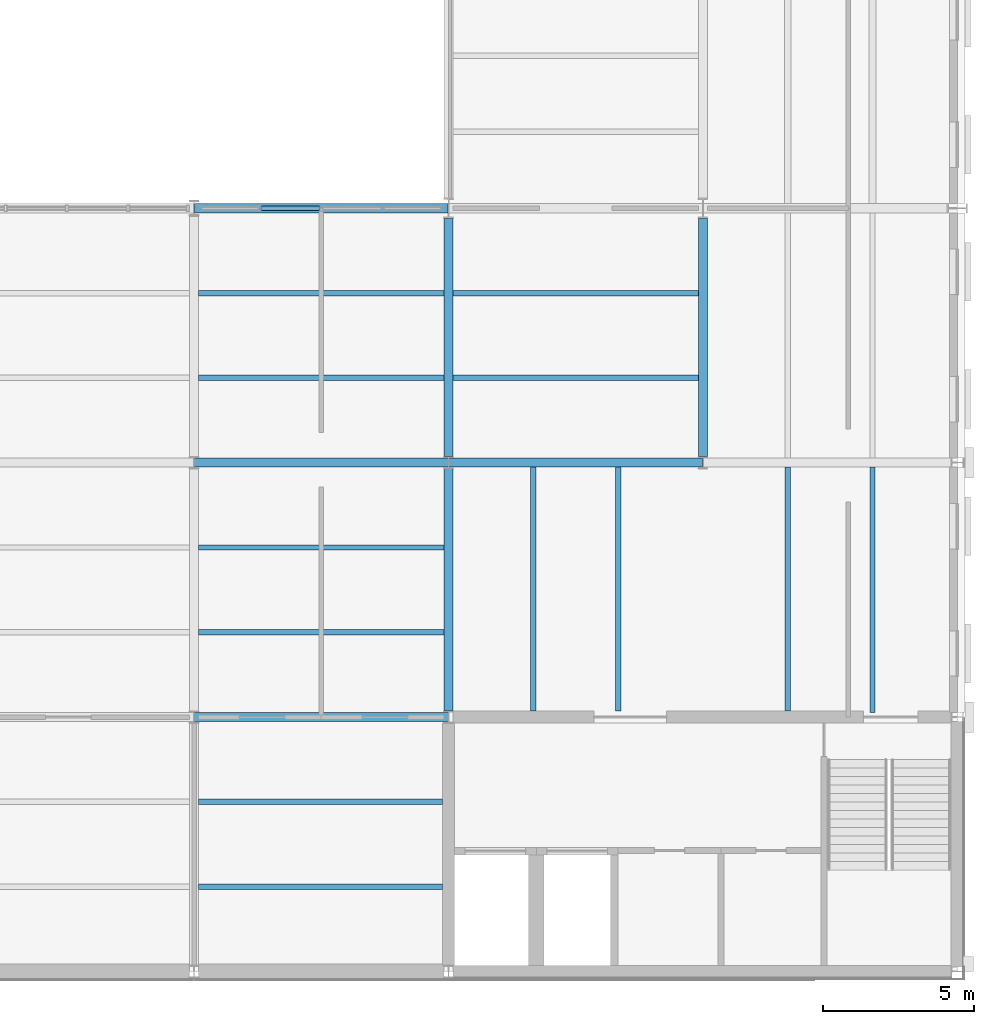
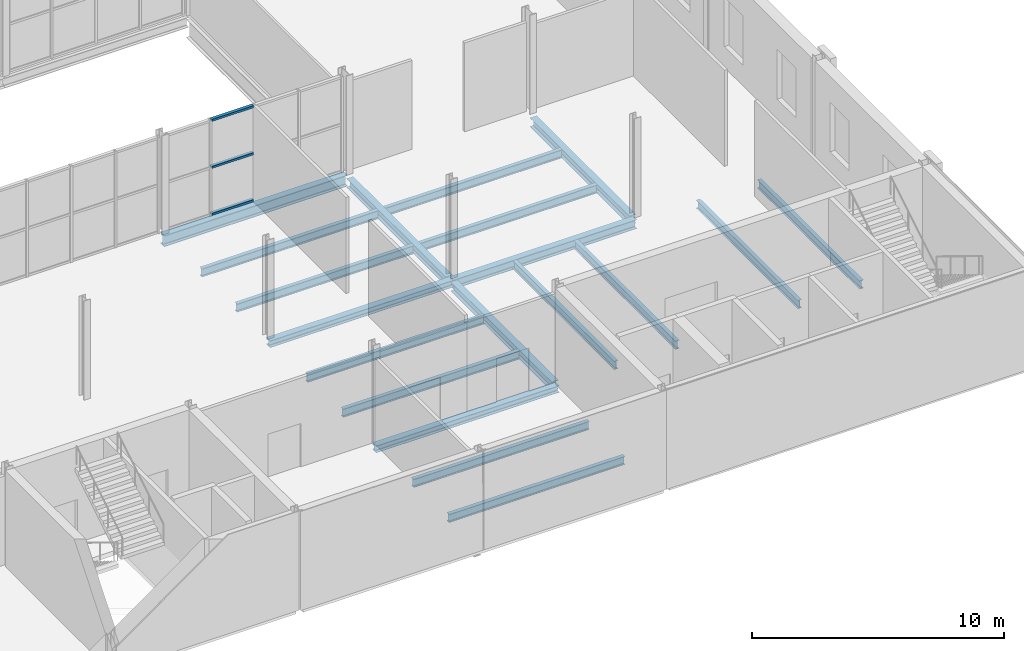
# One storey, part 19 of 57: 19 beams, 3 members, 1 element without a shape of its own.
"""IFC4 building model written with IfcOpenShell, lengths in metres."""

from ifc_helpers import new_model, si_unit, direction, frame, origin, origin_2d, place, context, subcontext, project, spatial, hollow_rectangle, i_section, extrude, material, layer, layer_set, material_profile, profile_set, type_object, element, aggregate, save


model = new_model("IFC4")

# Units and contexts
model_context = context("Model", 3, precision=1e-05, world=origin(), true_north=direction((0.0, 1.0)))
body_context = subcontext(model_context, "Body", "Model", "MODEL_VIEW")
ifc_project = project(units=[si_unit("LENGTHUNIT", "METRE"), si_unit("AREAUNIT", "SQUARE_METRE"), si_unit("VOLUMEUNIT", "CUBIC_METRE"), si_unit("PLANEANGLEUNIT", "RADIAN"), si_unit("MASSUNIT", "GRAM", prefix="KILO")], contexts=[model_context])

# Site, building, storey
site_placement = place(None, origin())
site = spatial("IfcSite", under=ifc_project, at=site_placement, CompositionType="ELEMENT")
building_placement = place(site_placement, origin())
building = spatial("IfcBuilding", under=site, at=building_placement, Name="Galleria Vessillo Department Store", CompositionType="ELEMENT")
storey_placement = place(building_placement, frame((0.0, 0.0, 21.0)))
storey = spatial("IfcBuildingStorey", under=building, at=storey_placement, Name="L04", CompositionType="ELEMENT", Elevation=21.0)

# Beams
ifc_material_1 = material(Name="Steel S355 J2", Category="steel")
ifc_material_profile_1 = material_profile(ifc_material_1, i_section(OverallWidth=0.300048828125, OverallDepth=0.43994140625, WebThickness=0.011474609375, FlangeThickness=0.02099609375, FilletRadius=0.027099609375, at=origin_2d()), Name="HEA 450")
ifc_profile_set_1 = profile_set([ifc_material_profile_1], Name="Steel S355 J2")
beam_type_1 = type_object("IfcBeamType", Name="Floor girder HEA 450", PredefinedType="BEAM", material=ifc_profile_set_1)
beam_1_placement = place(storey_placement, frame((100.806884765625, 16.800048828125, -0.369873046875), z_axis=(1.0, 0.0, 0.0), x_axis=(0.0, 1.0, 0.0)))
element("IfcBeam", 1, at=beam_1_placement, inside=storey, type_object=beam_type_1, Name="S-BM-L04-GI-x16800-100807", PredefinedType="BEAM", context=body_context, shape_type="SweptSolid", body=[
    extrude(i_section(OverallWidth=0.300048828125, OverallDepth=0.43994140625, WebThickness=0.011474609375, FlangeThickness=0.02099609375, FilletRadius=0.027099609375, at=origin_2d()), origin(), (0.0, 0.0, 1.0), 8.38623046875),
])
beam_2_placement = place(storey_placement, frame((100.800048828125, 8.60009765625, -0.369873046875), z_axis=(0.0, 1.0, 0.0), x_axis=(-1.0, 0.0, 0.0)))
element("IfcBeam", 2, at=beam_2_placement, inside=storey, type_object=beam_type_1, Name="S-BM-L04-GI-y100800-8600", PredefinedType="BEAM", context=body_context, shape_type="SweptSolid", body=[
    extrude(i_section(OverallWidth=0.300048828125, OverallDepth=0.43994140625, WebThickness=0.011474609375, FlangeThickness=0.02099609375, FilletRadius=0.027099609375, at=origin_2d()), origin(), (0.0, 0.0, 1.0), 7.999755859375),
])
for number, where, z_axis, x_axis, name in (
    (3, (100.800048828125, 17.000244140625, -0.369873046875), (0.0, 1.0, 0.0), (-1.0, 0.0, 0.0), "S-BM-L04-GI-y100800-17000"),
    (4, (109.199951171875, 17.000244140625, -0.369873046875), (0.0, 1.0, 0.0), (-1.0, 0.0, 0.0), "S-BM-L04-GI-y109200-17000"),
):
    element("IfcBeam", number, at=place(storey_placement, frame(where, z_axis=z_axis, x_axis=x_axis)), inside=storey, type_object=beam_type_1, Name=name, PredefinedType="BEAM", context=body_context, shape_type="SweptSolid", body=[
        extrude(i_section(OverallWidth=0.300048828125, OverallDepth=0.43994140625, WebThickness=0.011474609375, FlangeThickness=0.02099609375, FilletRadius=0.027099609375, at=origin_2d()), origin(), (0.0, 0.0, 1.0), 7.86572265625),
    ])
ifc_material_2 = material(Name="Steel S355 J2", Category="steel")
ifc_material_profile_2 = material_profile(ifc_material_2, i_section(OverallWidth=0.179931640625, OverallDepth=0.39990234375, WebThickness=0.008544921875, FlangeThickness=0.013427734375, FilletRadius=0.02099609375, at=origin_2d()), Name="IPE 400")
ifc_profile_set_2 = profile_set([ifc_material_profile_2], Name="Steel S355 J2")
beam_type_2 = type_object("IfcBeamType", Name="Floor joist IPE 400", PredefinedType="JOIST", material=ifc_profile_set_2)
for number, where, z_axis, x_axis, name in (
    (5, (92.550048828125, 2.800048828125, -0.349853515625), (1.0, 0.0, 0.0), (0.0, 1.0, 0.0), "S-BM-L04-JO-x2800-92550"),
    (6, (92.550048828125, 5.60009765625, -0.349853515625), (1.0, 0.0, 0.0), (0.0, 1.0, 0.0), "S-BM-L04-JO-x5600-92550"),
):
    element("IfcBeam", number, at=place(storey_placement, frame(where, z_axis=z_axis, x_axis=x_axis)), inside=storey, type_object=beam_type_2, Name=name, PredefinedType="JOIST", context=body_context, shape_type="SweptSolid", body=[
        extrude(i_section(OverallWidth=0.179931640625, OverallDepth=0.39990234375, WebThickness=0.008544921875, FlangeThickness=0.013427734375, FilletRadius=0.02099609375, at=origin_2d()), origin(), (0.0, 0.0, 1.0), 8.0498046875),
    ])
for number, where, z_axis, x_axis, name in (
    (7, (92.550048828125, 11.199951171875, -0.349853515625), (1.0, 0.0, 0.0), (0.0, 1.0, 0.0), "S-BM-L04-JO-x11200-92550"),
    (8, (92.550048828125, 14.0, -0.349853515625), (1.0, 0.0, 0.0), (0.0, 1.0, 0.0), "S-BM-L04-JO-x14000-92550"),
    (9, (92.550048828125, 19.60009765625, -0.349853515625), (1.0, 0.0, 0.0), (0.0, 1.0, 0.0), "S-BM-L04-JO-x19600-92550"),
    (10, (92.550048828125, 22.39990234375, -0.349853515625), (1.0, 0.0, 0.0), (0.0, 1.0, 0.0), "S-BM-L04-JO-x22400-92550"),
):
    element("IfcBeam", number, at=place(storey_placement, frame(where, z_axis=z_axis, x_axis=x_axis)), inside=storey, type_object=beam_type_2, Name=name, PredefinedType="JOIST", context=body_context, shape_type="SweptSolid", body=[
        extrude(i_section(OverallWidth=0.179931640625, OverallDepth=0.39990234375, WebThickness=0.008544921875, FlangeThickness=0.013427734375, FilletRadius=0.02099609375, at=origin_2d()), origin(), (0.0, 0.0, 1.0), 8.099853515625),
    ])
for number, where, z_axis, x_axis, name in (
    (11, (103.60009765625, 8.60009765625, -0.349853515625), (0.0, 1.0, 0.0), (-1.0, 0.0, 0.0), "S-BM-L04-JO-y103600-8600"),
    (12, (106.39990234375, 8.60009765625, -0.349853515625), (0.0, 1.0, 0.0), (-1.0, 0.0, 0.0), "S-BM-L04-JO-y106400-8600"),
):
    element("IfcBeam", number, at=place(storey_placement, frame(where, z_axis=z_axis, x_axis=x_axis)), inside=storey, type_object=beam_type_2, Name=name, PredefinedType="JOIST", context=body_context, shape_type="SweptSolid", body=[
        extrude(i_section(OverallWidth=0.179931640625, OverallDepth=0.39990234375, WebThickness=0.008544921875, FlangeThickness=0.013427734375, FilletRadius=0.02099609375, at=origin_2d()), origin(), (0.0, 0.0, 1.0), 8.0498046875),
    ])
for number, where, z_axis, x_axis, name in (
    (13, (100.9501953125, 19.60009765625, -0.349853515625), (1.0, 0.0, 0.0), (0.0, 1.0, 0.0), "S-BM-L04-JO-x19600-100950"),
    (14, (100.9501953125, 22.39990234375, -0.349853515625), (1.0, 0.0, 0.0), (0.0, 1.0, 0.0), "S-BM-L04-JO-x22400-100950"),
):
    element("IfcBeam", number, at=place(storey_placement, frame(where, z_axis=z_axis, x_axis=x_axis)), inside=storey, type_object=beam_type_2, Name=name, PredefinedType="JOIST", context=body_context, shape_type="SweptSolid", body=[
        extrude(i_section(OverallWidth=0.179931640625, OverallDepth=0.39990234375, WebThickness=0.008544921875, FlangeThickness=0.013427734375, FilletRadius=0.02099609375, at=origin_2d()), origin(), (0.0, 0.0, 1.0), 8.099609375),
    ])
beam_3_placement = place(storey_placement, frame((112.0, 8.60009765625, -0.349853515625), z_axis=(0.0, 1.0, 0.0), x_axis=(-1.0, 0.0, 0.0)))
element("IfcBeam", 15, at=beam_3_placement, inside=storey, type_object=beam_type_2, Name="S-BM-L04-JO-y112000-8600", PredefinedType="JOIST", context=body_context, shape_type="SweptSolid", body=[
    extrude(i_section(OverallWidth=0.179931640625, OverallDepth=0.39990234375, WebThickness=0.008544921875, FlangeThickness=0.013427734375, FilletRadius=0.02099609375, at=origin_2d()), origin(), (0.0, 0.0, 1.0), 8.0498046875),
])
beam_4_placement = place(storey_placement, frame((114.800048828125, 8.550048828125, -0.349853515625), z_axis=(0.0, 1.0, 0.0), x_axis=(-1.0, 0.0, 0.0)))
element("IfcBeam", 16, at=beam_4_placement, inside=storey, type_object=beam_type_2, Name="S-BM-L04-JO-y114800-8550", PredefinedType="JOIST", context=body_context, shape_type="SweptSolid", body=[
    extrude(i_section(OverallWidth=0.179931640625, OverallDepth=0.39990234375, WebThickness=0.008544921875, FlangeThickness=0.013427734375, FilletRadius=0.02099609375, at=origin_2d()), origin(), (0.0, 0.0, 1.0), 8.099853515625),
])
ifc_material_3 = material(Name="Steel S355 J2", Category="steel")
ifc_material_profile_3 = material_profile(ifc_material_3, i_section(OverallWidth=0.300048828125, OverallDepth=0.330078125, WebThickness=0.009521484375, FlangeThickness=0.0166015625, FilletRadius=0.027099609375, at=origin_2d()), Name="HEA 340")
ifc_profile_set_3 = profile_set([ifc_material_profile_3], Name="Steel S355 J2")
beam_type_3 = type_object("IfcBeamType", Name="Floor tie girder HEA 340", PredefinedType="BEAM", material=ifc_profile_set_3)
for number, where, z_axis, x_axis, name in (
    (17, (92.406982421875, 8.39990234375, -0.31494140625), (1.0, 0.0, 0.0), (0.0, 1.0, 0.0), "S-BM-L04-TI-x8400-92407"),
    (18, (92.406982421875, 16.800048828125, -0.31494140625), (1.0, 0.0, 0.0), (0.0, 1.0, 0.0), "S-BM-L04-TI-x16800-92407"),
):
    element("IfcBeam", number, at=place(storey_placement, frame(where, z_axis=z_axis, x_axis=x_axis)), inside=storey, type_object=beam_type_3, Name=name, PredefinedType="BEAM", context=body_context, shape_type="SweptSolid", body=[
        extrude(i_section(OverallWidth=0.300048828125, OverallDepth=0.330078125, WebThickness=0.009521484375, FlangeThickness=0.0166015625, FilletRadius=0.027099609375, at=origin_2d()), origin(), (0.0, 0.0, 1.0), 8.38623046875),
    ])

# Curtain wall, members
ifc_material_4 = material(Name="Steel and fire-resisting glass curtain wall", Category="steel")
ifc_layer = layer(ifc_material_4, 0.199951171875)
ifc_layer_set = layer_set([ifc_layer], Name="Steel and fire-resisting glass curtain wall")
curtain_wall_type = type_object("IfcCurtainWallType", Name="Arcade fire-resisting glazed shopfront EI 120-Sa", PredefinedType="NOTDEFINED", material=ifc_layer_set)
curtain_wall_placement = place(storey_placement, origin())
curtain_wall = element("IfcCurtainWall", 19, at=curtain_wall_placement, inside=storey, type_object=curtain_wall_type, Name="Arcade fire-resisting glazed shopfront EI 120-Sa AI-AE-S-L04-02", PredefinedType="NOTDEFINED")
ifc_material_5 = material(Name="Steel S355 J2", Category="steel")
ifc_material_profile_4 = material_profile(ifc_material_5, hollow_rectangle(XDim=0.14990234375, YDim=0.10009765625, WallThickness=0.008056640625, at=origin_2d()), Name="RHS 150x100x8")
ifc_profile_set_4 = profile_set([ifc_material_profile_4], Name="Steel S355 J2")
member_type = type_object("IfcMemberType", Name="Steel transom RHS 150x100x8", PredefinedType="USERDEFINED", material=ifc_profile_set_4)
member_1_placement = place(storey_placement, frame((94.626708984375, 25.199951171875, 0.050048828125), z_axis=(1.0, 0.0, 0.0), x_axis=(0.0, 1.0, 0.0)))
member_1 = element("IfcMember", 20, at=member_1_placement, type_object=member_type, Name="CW7 transom 2.1", ObjectType="TRANSOM", PredefinedType="USERDEFINED", context=body_context, shape_type="SweptSolid", body=[
    extrude(hollow_rectangle(XDim=0.14990234375, YDim=0.10009765625, WallThickness=0.008056640625, at=origin_2d()), origin(), (0.0, 0.0, 1.0), 1.923583984375),
])
member_2_placement = place(storey_placement, frame((94.626708984375, 25.199951171875, 2.3251953125), z_axis=(1.0, 0.0, 0.0), x_axis=(0.0, 1.0, 0.0)))
member_2 = element("IfcMember", 21, at=member_2_placement, type_object=member_type, Name="CW7 transom 2.2", ObjectType="TRANSOM", PredefinedType="USERDEFINED", context=body_context, shape_type="SweptSolid", body=[
    extrude(hollow_rectangle(XDim=0.14990234375, YDim=0.10009765625, WallThickness=0.008056640625, at=origin_2d()), origin(), (0.0, 0.0, 1.0), 1.923583984375),
])
member_3_placement = place(storey_placement, frame((94.626708984375, 25.199951171875, 4.60009765625), z_axis=(1.0, 0.0, 0.0), x_axis=(0.0, 1.0, 0.0)))
member_3 = element("IfcMember", 22, at=member_3_placement, type_object=member_type, Name="CW7 transom 2.3", ObjectType="TRANSOM", PredefinedType="USERDEFINED", context=body_context, shape_type="SweptSolid", body=[
    extrude(hollow_rectangle(XDim=0.14990234375, YDim=0.10009765625, WallThickness=0.008056640625, at=origin_2d()), origin(), (0.0, 0.0, 1.0), 1.923583984375),
])
aggregate(curtain_wall, [member_1, member_2, member_3])

# Beam
ifc_material_6 = material(Name="Steel S355 J2", Category="steel")
ifc_material_profile_5 = material_profile(ifc_material_6, i_section(OverallWidth=0.300048828125, OverallDepth=0.5400390625, WebThickness=0.012451171875, FlangeThickness=0.02392578125, FilletRadius=0.027099609375, at=origin_2d()), Name="HEA 550")
ifc_profile_set_5 = profile_set([ifc_material_profile_5], Name="Steel S355 J2")
beam_type_4 = type_object("IfcBeamType", Name="Trimmer beam HEA 550", PredefinedType="BEAM", material=ifc_profile_set_5)
beam_5_placement = place(storey_placement, frame((92.41064453125, 25.199951171875, -0.419921875), z_axis=(1.0, 0.0, 0.0), x_axis=(0.0, 1.0, 0.0)))
element("IfcBeam", 23, at=beam_5_placement, inside=storey, type_object=beam_type_4, Name="S-BM-L04-TR-x25200-92411", PredefinedType="BEAM", context=body_context, shape_type="SweptSolid", body=[
    extrude(i_section(OverallWidth=0.300048828125, OverallDepth=0.5400390625, WebThickness=0.012451171875, FlangeThickness=0.02392578125, FilletRadius=0.027099609375, at=origin_2d()), origin(), (0.0, 0.0, 1.0), 8.378662109375),
])

save(model, "model.ifc")
